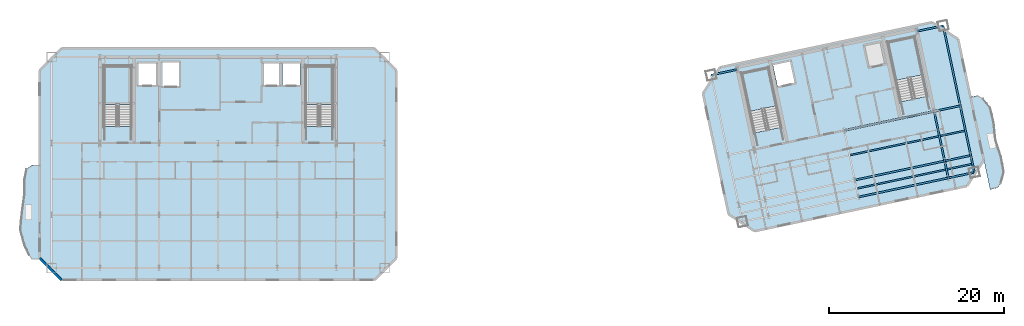
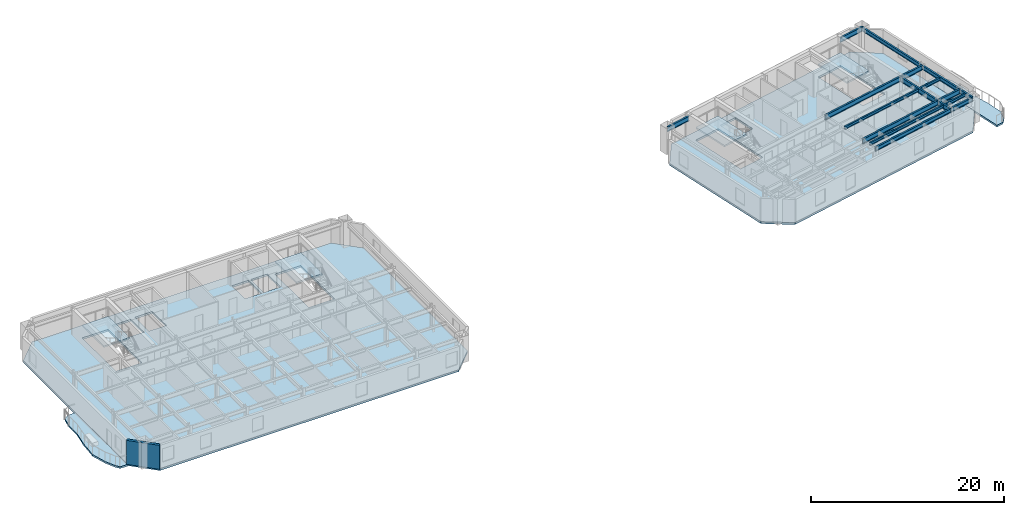
# One storey, part 4 of 14: 17 beams, 8 slabs, 1 wall, 4 elements without a shape of their own.
"""IFC4 building model written with IfcOpenShell, lengths in metres."""

from ifc_helpers import new_model, si_unit, direction, frame, frame_2d, origin, origin_2d, place, context, subcontext, project, spatial, polyline, rectangle, i_section, outline, extrude, material, layer, layer_set, material_profile, profile_set, type_object, element, aggregate, save


model = new_model("IFC4")

# Units and contexts
model_context = context("Model", 3, precision=1e-05, world=origin(), true_north=direction((0.0, 1.0)))
body_context = subcontext(model_context, "Body", "Model", "MODEL_VIEW")
ifc_project = project(units=[si_unit("LENGTHUNIT", "METRE"), si_unit("AREAUNIT", "SQUARE_METRE"), si_unit("VOLUMEUNIT", "CUBIC_METRE"), si_unit("PLANEANGLEUNIT", "RADIAN"), si_unit("MASSUNIT", "GRAM", prefix="KILO")], contexts=[model_context])

# Site, building, storey
site_placement = place(None, origin())
site = spatial("IfcSite", under=ifc_project, at=site_placement, CompositionType="ELEMENT")
building_placement = place(site_placement, origin())
building = spatial("IfcBuilding", under=site, at=building_placement, Name="Haevon Station Towers", CompositionType="ELEMENT")
storey_placement = place(building_placement, frame((0.0, 0.0, 205.5)))
storey = spatial("IfcBuildingStorey", under=building, at=storey_placement, Name="L56", CompositionType="ELEMENT", Elevation=205.5)

# Beams
ifc_material_1 = material(Name="Steel S355", Category="steel")
ifc_material_profile_1 = material_profile(ifc_material_1, i_section(OverallWidth=0.199951171875, OverallDepth=0.60009765625, WebThickness=0.010986328125, FlangeThickness=0.01708984375, at=origin_2d()), Name="H-600x200x11x17")
ifc_profile_set_1 = profile_set([ifc_material_profile_1], Name="Steel S355")
beam_type_1 = type_object("IfcBeamType", Name="BM-G600", PredefinedType="BEAM", material=ifc_profile_set_1)
beam_1_placement = place(storey_placement, frame((110.228759765625, 33.9521484375, 2.75), z_axis=(0.978146794194, 0.207915485254, 0.0), x_axis=(-0.207915485254, 0.978146794194, 0.0)))
element("IfcBeam", 1, at=beam_1_placement, inside=storey, type_object=beam_type_1, Name="BM-T2U-L56-02-03", PredefinedType="BEAM", context=body_context, shape_type="SweptSolid", body=[
    extrude(i_section(OverallWidth=0.199951171875, OverallDepth=0.60009765625, WebThickness=0.010986328125, FlangeThickness=0.01708984375, at=origin_2d()), origin(), (0.0, 0.0, 1.0), 10.5),
])
beam_2_placement = place(storey_placement, frame((120.499267578125, 36.13525390625, 2.75), z_axis=(0.978138503145, 0.207954487003, 0.0), x_axis=(-0.207954487003, 0.978138503145, 0.0)))
element("IfcBeam", 2, at=beam_2_placement, inside=storey, type_object=beam_type_1, Name="BM-T2U-L56-02-04", PredefinedType="BEAM", context=body_context, shape_type="SweptSolid", body=[
    extrude(i_section(OverallWidth=0.199951171875, OverallDepth=0.60009765625, WebThickness=0.010986328125, FlangeThickness=0.01708984375, at=origin_2d()), origin(), (0.0, 0.0, 1.0), 3.050048828125),
])
beam_3_placement = place(storey_placement, frame((109.02294921875, 39.62548828125, 2.75), z_axis=(0.978146794194, 0.207915485254, 0.0), x_axis=(-0.207915485254, 0.978146794194, 0.0)))
element("IfcBeam", 3, at=beam_3_placement, inside=storey, type_object=beam_type_1, Name="BM-T2U-L56-03-03", PredefinedType="BEAM", context=body_context, shape_type="SweptSolid", body=[
    extrude(i_section(OverallWidth=0.199951171875, OverallDepth=0.60009765625, WebThickness=0.010986328125, FlangeThickness=0.01708984375, at=origin_2d()), origin(), (0.0, 0.0, 1.0), 10.5),
])
for number, where, z_axis, x_axis, name in (
    (4, (119.29345703125, 41.80859375, 2.75), (0.978154782045, 0.207877902534, 0.0), (-0.207877902534, 0.978154782045, 0.0), "BM-T2U-L56-03-04"),
    (5, (93.824951171875, 45.953857421875, 2.75), (0.978138503145, 0.207954487003, 0.0), (-0.207954487003, 0.978138503145, 0.0), "BM-T2U-L56-04-01"),
    (6, (117.349365234375, 50.954345703125, 2.75), (0.978154782045, 0.207877902534, 0.0), (-0.207877902534, 0.978154782045, 0.0), "BM-T2U-L56-04-04"),
):
    element("IfcBeam", number, at=place(storey_placement, frame(where, z_axis=z_axis, x_axis=x_axis)), inside=storey, type_object=beam_type_1, Name=name, PredefinedType="BEAM", context=body_context, shape_type="SweptSolid", body=[
        extrude(i_section(OverallWidth=0.199951171875, OverallDepth=0.60009765625, WebThickness=0.010986328125, FlangeThickness=0.01708984375, at=origin_2d()), origin(), (0.0, 0.0, 1.0), 3.050048828125),
    ])
beam_4_placement = place(storey_placement, frame((120.910888671875, 34.198486328125, 2.75), z_axis=(-0.207886774674, 0.978152896492, 0.0), x_axis=(-0.978152896492, -0.207886774674, 0.0)))
element("IfcBeam", 7, at=beam_4_placement, inside=storey, type_object=beam_type_1, Name="BM-T2V-L56-04-01", PredefinedType="BEAM", context=body_context, shape_type="SweptSolid", body=[
    extrude(i_section(OverallWidth=0.199951171875, OverallDepth=0.60009765625, WebThickness=0.010986328125, FlangeThickness=0.01708984375, at=origin_2d()), origin(), (0.0, 0.0, 1.0), 1.97998046875),
])
beam_5_placement = place(storey_placement, frame((120.499267578125, 36.13525390625, 2.75), z_axis=(-0.207896009217, 0.97815093383, 0.0), x_axis=(-0.97815093383, -0.207896009217, 0.0)))
element("IfcBeam", 8, at=beam_5_placement, inside=storey, type_object=beam_type_1, Name="BM-T2V-L56-04-02", PredefinedType="BEAM", context=body_context, shape_type="SweptSolid", body=[
    extrude(i_section(OverallWidth=0.199951171875, OverallDepth=0.60009765625, WebThickness=0.010986328125, FlangeThickness=0.01708984375, at=origin_2d()), origin(), (0.0, 0.0, 1.0), 5.800048828125),
])
ifc_material_profile_2 = material_profile(ifc_material_1, i_section(OverallWidth=0.175048828125, OverallDepth=0.35009765625, WebThickness=0.007080078125, FlangeThickness=0.010986328125, at=origin_2d()), Name="H-350x175x7x11")
ifc_profile_set_2 = profile_set([ifc_material_profile_2], Name="Steel S355")
beam_type_2 = type_object("IfcBeamType", Name="BM-J350", PredefinedType="JOIST", material=ifc_profile_set_2)
beam_6_placement = place(storey_placement, frame((110.542236328125, 33.0068359375, 2.875), z_axis=(0.978150339653, 0.207898804801, 0.0), x_axis=(-0.207898804801, 0.978150339653, 0.0)))
element("IfcBeam", 9, at=beam_6_placement, inside=storey, type_object=beam_type_2, Name="BM-T2J-L56-01-03", PredefinedType="JOIST", context=body_context, shape_type="SweptSolid", body=[
    extrude(i_section(OverallWidth=0.175048828125, OverallDepth=0.35009765625, WebThickness=0.007080078125, FlangeThickness=0.010986328125, at=origin_2d()), origin(), (0.0, 0.0, 1.0), 10.280029296875),
])
beam_7_placement = place(storey_placement, frame((120.812744140625, 35.189697265625, 2.875), z_axis=(0.9781470094, 0.207914472804, 0.0), x_axis=(-0.207914472804, 0.9781470094, 0.0)))
element("IfcBeam", 10, at=beam_7_placement, inside=storey, type_object=beam_type_2, Name="BM-T2J-L56-01-04", PredefinedType="JOIST", context=body_context, shape_type="SweptSolid", body=[
    extrude(i_section(OverallWidth=0.175048828125, OverallDepth=0.35009765625, WebThickness=0.007080078125, FlangeThickness=0.010986328125, at=origin_2d()), origin(), (0.0, 0.0, 1.0), 2.829833984375),
])
beam_8_placement = place(storey_placement, frame((109.7333984375, 36.811767578125, 2.875), z_axis=(0.978150339653, 0.207898804801, 0.0), x_axis=(-0.207898804801, 0.978150339653, 0.0)))
element("IfcBeam", 11, at=beam_8_placement, inside=storey, type_object=beam_type_2, Name="BM-T2J-L56-02-03", PredefinedType="JOIST", context=body_context, shape_type="SweptSolid", body=[
    extrude(i_section(OverallWidth=0.175048828125, OverallDepth=0.35009765625, WebThickness=0.007080078125, FlangeThickness=0.010986328125, at=origin_2d()), origin(), (0.0, 0.0, 1.0), 10.280029296875),
])
beam_9_placement = place(storey_placement, frame((120.00390625, 38.994873046875, 2.875), z_axis=(0.978150738312, 0.207896929124, 0.0), x_axis=(-0.207896929124, 0.978150738312, 0.0)))
element("IfcBeam", 12, at=beam_9_placement, inside=storey, type_object=beam_type_2, Name="BM-T2J-L56-02-04", PredefinedType="JOIST", context=body_context, shape_type="SweptSolid", body=[
    extrude(i_section(OverallWidth=0.175048828125, OverallDepth=0.35009765625, WebThickness=0.007080078125, FlangeThickness=0.010986328125, at=origin_2d()), origin(), (0.0, 0.0, 1.0), 2.830078125),
])
ifc_material_profile_3 = material_profile(ifc_material_1, i_section(OverallWidth=0.199951171875, OverallDepth=0.5, WebThickness=0.010009765625, FlangeThickness=0.01611328125, at=origin_2d()), Name="H-500x200x10x16")
ifc_profile_set_3 = profile_set([ifc_material_profile_3], Name="Steel S355")
beam_type_3 = type_object("IfcBeamType", Name="BM-SP500", PredefinedType="SPANDREL", material=ifc_profile_set_3)
beam_10_placement = place(storey_placement, frame((110.640380859375, 32.015380859375, 2.800048828125), z_axis=(0.978146794194, 0.207915485254, 0.0), x_axis=(-0.207915485254, 0.978146794194, 0.0)))
element("IfcBeam", 13, at=beam_10_placement, inside=storey, type_object=beam_type_3, Name="BM-T2U-L56-01-03", PredefinedType="SPANDREL", context=body_context, shape_type="SweptSolid", body=[
    extrude(i_section(OverallWidth=0.199951171875, OverallDepth=0.5, WebThickness=0.010009765625, FlangeThickness=0.01611328125, at=origin_2d()), origin(), (0.0, 0.0, 1.0), 10.5),
])
beam_11_placement = place(storey_placement, frame((120.910888671875, 34.198486328125, 2.800048828125), z_axis=(0.978138503145, 0.207954487003, 0.0), x_axis=(-0.207954487003, 0.978138503145, 0.0)))
element("IfcBeam", 14, at=beam_11_placement, inside=storey, type_object=beam_type_3, Name="BM-T2U-L56-01-04", PredefinedType="SPANDREL", context=body_context, shape_type="SweptSolid", body=[
    extrude(i_section(OverallWidth=0.199951171875, OverallDepth=0.5, WebThickness=0.010009765625, FlangeThickness=0.01611328125, at=origin_2d()), origin(), (0.0, 0.0, 1.0), 3.050048828125),
])
beam_12_placement = place(storey_placement, frame((123.894287109375, 34.832763671875, 2.800048828125), z_axis=(-0.207886774674, 0.978152896492, 0.0), x_axis=(-0.978152896492, -0.207886774674, 0.0)))
element("IfcBeam", 15, at=beam_12_placement, inside=storey, type_object=beam_type_3, Name="BM-T2V-L56-05-01", PredefinedType="SPANDREL", context=body_context, shape_type="SweptSolid", body=[
    extrude(i_section(OverallWidth=0.199951171875, OverallDepth=0.5, WebThickness=0.010009765625, FlangeThickness=0.01611328125, at=origin_2d()), origin(), (0.0, 0.0, 1.0), 1.97998046875),
])
beam_13_placement = place(storey_placement, frame((123.482666015625, 36.76953125, 2.800048828125), z_axis=(-0.207904569273, 0.978149114438, 0.0), x_axis=(-0.978149114438, -0.207904569273, 0.0)))
element("IfcBeam", 16, at=beam_13_placement, inside=storey, type_object=beam_type_3, Name="BM-T2V-L56-05-02", PredefinedType="SPANDREL", context=body_context, shape_type="SweptSolid", body=[
    extrude(i_section(OverallWidth=0.199951171875, OverallDepth=0.5, WebThickness=0.010009765625, FlangeThickness=0.01611328125, at=origin_2d()), origin(), (0.0, 0.0, 1.0), 5.7998046875),
])
beam_14_placement = place(storey_placement, frame((122.27685546875, 42.442626953125, 2.800048828125), z_axis=(-0.207922149488, 0.978145377616, 0.0), x_axis=(-0.978145377616, -0.207922149488, 0.0)))
element("IfcBeam", 17, at=beam_14_placement, inside=storey, type_object=beam_type_3, Name="BM-T2V-L56-05-03", PredefinedType="SPANDREL", context=body_context, shape_type="SweptSolid", body=[
    extrude(i_section(OverallWidth=0.199951171875, OverallDepth=0.5, WebThickness=0.010009765625, FlangeThickness=0.01611328125, at=origin_2d()), origin(), (0.0, 0.0, 1.0), 9.35009765625),
])

# Slabs
ifc_material_2 = material(Name="Concrete C40/50", Category="concrete")
ifc_layer_1 = layer(ifc_material_2, 0.219970703125)
ifc_layer_set_1 = layer_set([ifc_layer_1], Name="Concrete C40/50")
slab_type_1 = type_object("IfcSlabType", Name="SL-BALC220", PredefinedType="FLOOR", material=ifc_layer_set_1)
slab_1_placement = place(storey_placement, frame((0.0, 0.0, -0.219970703125)))
element("IfcSlab", 18, at=slab_1_placement, inside=storey, type_object=slab_type_1, Name="Tower 1 L56 West SCALLOPED BALCONY", PredefinedType="FLOOR", context=body_context, shape_type="SweptSolid", body=[
    extrude(outline(polyline([(17.1201171875, 35.675048828125), (16.238037109375, 35.675048828125), (15.60888671875, 35.263916015625), (15.376708984375, 34.09326171875), (15.355224609375, 32.341552734375), (15.02001953125, 30.27490234375), (14.8701171875, 28.20849609375), (15.376708984375, 26.45654296875), (15.934814453125, 25.2861328125), (16.238037109375, 24.875), (17.1201171875, 24.875), (17.1201171875, 35.675048828125)])), origin(), (0.0, 0.0, 1.0), 0.219970703125),
])
slab_2_placement = place(storey_placement, frame((0.0, 0.0, -0.219970703125)))
element("IfcSlab", 19, at=slab_2_placement, inside=storey, type_object=slab_type_1, Name="Tower 2 L56 East SCALLOPED BALCONY", PredefinedType="FLOOR", context=body_context, shape_type="SweptSolid", body=[
    extrude(outline(polyline([(125.69482421875, 32.87939453125), (126.5263671875, 33.05615234375), (126.927978515625, 33.561767578125), (127.277099609375, 34.832763671875), (126.965087890625, 36.557373046875), (126.3779296875, 38.545166015625), (126.10595703125, 40.60009765625), (125.689453125, 42.302490234375), (124.853515625, 43.321533203125), (124.28076171875, 43.6201171875), (123.449462890625, 43.443359375), (125.69482421875, 32.87939453125)])), origin(), (0.0, 0.0, 1.0), 0.219970703125),
])

# Stair, slab
stair_type = type_object("IfcStairType", Name="STR-DL1450", PredefinedType="USERDEFINED", material=ifc_material_2)
stair_1_placement = place(storey_placement, origin())
stair_1 = element("IfcStair", 20, at=stair_1_placement, inside=storey, type_object=stair_type, Name="L56 Escape Stair ST1", ObjectType="TWO_RETURN_STAIR", PredefinedType="USERDEFINED")
ifc_layer_2 = layer(ifc_material_2, 0.199951171875)
ifc_layer_set_2 = layer_set([ifc_layer_2], Name="Concrete C40/50")
slab_type_2 = type_object("IfcSlabType", Name="SL-LND200", PredefinedType="LANDING", material=ifc_layer_set_2)
slab_3_placement = place(storey_placement, frame((0.0, 0.0, 1.449951171875)))
slab_3 = element("IfcSlab", 21, at=slab_3_placement, type_object=slab_type_2, Name="L56 ST1 Half Landing 1", PredefinedType="LANDING", context=body_context, shape_type="SweptSolid", body=[
    extrude(outline(polyline([(27.580078125, 42.56396484375), (27.580078125, 47.0), (24.47998046875, 47.0), (24.47998046875, 42.56396484375), (27.580078125, 42.56396484375)])), origin(), (0.0, 0.0, 1.0), 0.199951171875),
])
aggregate(stair_1, [slab_3])

stair_2_placement = place(storey_placement, origin())
stair_2 = element("IfcStair", 22, at=stair_2_placement, inside=storey, type_object=stair_type, Name="L56 Escape Stair ST2", ObjectType="TWO_RETURN_STAIR", PredefinedType="USERDEFINED")
slab_4_placement = place(storey_placement, frame((0.0, 0.0, 1.449951171875)))
slab_4 = element("IfcSlab", 23, at=slab_4_placement, type_object=slab_type_2, Name="L56 ST2 Half Landing 1", PredefinedType="LANDING", context=body_context, shape_type="SweptSolid", body=[
    extrude(outline(polyline([(50.6201171875, 42.56396484375), (50.6201171875, 47.0), (47.52001953125, 47.0), (47.52001953125, 42.56396484375), (50.6201171875, 42.56396484375)])), origin(), (0.0, 0.0, 1.0), 0.199951171875),
])
aggregate(stair_2, [slab_4])

stair_3_placement = place(storey_placement, origin())
stair_3 = element("IfcStair", 24, at=stair_3_placement, inside=storey, type_object=stair_type, Name="L56 Escape Stair ST3", ObjectType="TWO_RETURN_STAIR", PredefinedType="USERDEFINED")
slab_5_placement = place(storey_placement, frame((0.0, 0.0, 1.449951171875)))
slab_5 = element("IfcSlab", 25, at=slab_5_placement, type_object=slab_type_2, Name="L56 ST3 Half Landing 1", PredefinedType="LANDING", context=body_context, shape_type="SweptSolid", body=[
    extrude(outline(polyline([(101.2880859375, 42.44287109375), (100.36572265625, 46.781982421875), (97.33349609375, 46.137451171875), (98.255859375, 41.79833984375), (101.2880859375, 42.44287109375)])), origin(), (0.0, 0.0, 1.0), 0.199951171875),
])
aggregate(stair_3, [slab_5])

stair_4_placement = place(storey_placement, origin())
stair_4 = element("IfcStair", 26, at=stair_4_placement, inside=storey, type_object=stair_type, Name="L56 Escape Stair ST4", ObjectType="TWO_RETURN_STAIR", PredefinedType="USERDEFINED")
slab_6_placement = place(storey_placement, frame((0.0, 0.0, 1.449951171875)))
slab_6 = element("IfcSlab", 27, at=slab_6_placement, type_object=slab_type_2, Name="L56 ST4 Half Landing 1", PredefinedType="LANDING", context=body_context, shape_type="SweptSolid", body=[
    extrude(outline(polyline([(117.975341796875, 45.989990234375), (117.052978515625, 50.328857421875), (114.020751953125, 49.684326171875), (114.943115234375, 45.345458984375), (117.975341796875, 45.989990234375)])), origin(), (0.0, 0.0, 1.0), 0.199951171875),
])
aggregate(stair_4, [slab_6])

# Slabs
ifc_layer_3 = layer(ifc_material_2, 0.25)
ifc_layer_set_3 = layer_set([ifc_layer_3], Name="Concrete C40/50")
slab_type_3 = type_object("IfcSlabType", Name="SL-TW250", PredefinedType="FLOOR", material=ifc_layer_set_3)
slab_7_placement = place(storey_placement, frame((0.0, 0.0, -0.25)))
element("IfcSlab", 28, at=slab_7_placement, inside=storey, type_object=slab_type_3, Name="SL-T1-L56", PredefinedType="FLOOR", context=body_context, shape_type="SweptSolid", body=[
    extrude(outline(polyline([(19.625, 22.550048828125), (55.375, 22.550048828125), (57.875, 25.050048828125), (57.875, 46.5), (55.375, 49.0), (19.625, 49.0), (17.125, 46.5), (17.125, 25.050048828125), (19.625, 22.550048828125)]), holes=[polyline([(27.580078125, 40.055908203125), (27.580078125, 47.0), (24.47998046875, 47.0), (24.47998046875, 40.055908203125), (27.580078125, 40.055908203125)]), polyline([(50.6201171875, 40.055908203125), (50.6201171875, 47.0), (47.52001953125, 47.0), (47.52001953125, 40.055908203125), (50.6201171875, 40.055908203125)]), polyline([(28.300048828125, 44.699951171875), (30.5, 44.699951171875), (30.5, 47.39990234375), (28.300048828125, 47.39990234375), (28.300048828125, 44.699951171875)]), polyline([(31.050048828125, 44.60009765625), (33.14990234375, 44.60009765625), (33.14990234375, 47.5), (31.050048828125, 47.5), (31.050048828125, 44.60009765625)]), polyline([(42.60009765625, 44.699951171875), (44.60009765625, 44.699951171875), (44.60009765625, 47.39990234375), (42.60009765625, 47.39990234375), (42.60009765625, 44.699951171875)]), polyline([(44.85009765625, 44.699951171875), (46.85009765625, 44.699951171875), (46.85009765625, 47.39990234375), (44.85009765625, 47.39990234375), (44.85009765625, 44.699951171875)])]), origin(), (0.0, 0.0, 1.0), 0.25),
])
slab_8_placement = place(storey_placement, frame((0.0, 0.0, -0.25)))
element("IfcSlab", 29, at=slab_8_placement, inside=storey, type_object=slab_type_3, Name="SL-T2-L56", PredefinedType="FLOOR", context=body_context, shape_type="SweptSolid", body=[
    extrude(outline(polyline([(98.7919921875, 28.116943359375), (123.050048828125, 33.273193359375), (124.975830078125, 36.23828125), (122.037841796875, 50.0595703125), (119.07275390625, 51.985107421875), (94.814697265625, 46.828857421875), (92.88916015625, 43.86376953125), (95.826904296875, 30.04248046875), (98.7919921875, 28.116943359375)]), holes=[polyline([(101.8095703125, 39.98974609375), (100.36572265625, 46.781982421875), (97.33349609375, 46.137451171875), (98.77734375, 39.34521484375), (101.8095703125, 39.98974609375)]), polyline([(118.496826171875, 43.53662109375), (117.052978515625, 50.328857421875), (114.020751953125, 49.684326171875), (115.464599609375, 42.89208984375), (118.496826171875, 43.53662109375)]), polyline([(101.43212890625, 44.554931640625), (103.486328125, 44.99169921875), (102.9248046875, 47.632568359375), (100.870849609375, 47.196044921875), (101.43212890625, 44.554931640625)])]), origin(), (0.0, 0.0, 1.0), 0.25),
])

# Wall
ifc_material_3 = material(Name="Precast concrete C45/55", Category="concrete")
ifc_layer_4 = layer(ifc_material_3, 0.280029296875)
ifc_layer_set_4 = layer_set([ifc_layer_4], Name="Precast concrete C45/55")
wall_type = type_object("IfcWallType", Name="WL-EXT-PIER280", PredefinedType="SOLIDWALL", material=ifc_layer_set_4)
wall_placement = place(storey_placement, frame((19.625, 22.550048828125, 0.0), z_axis=(0.0, 0.0, 1.0), x_axis=(-0.707106781187, 0.707106781187, 0.0)))
element("IfcWall", 30, at=wall_placement, inside=storey, type_object=wall_type, Name="WL-T1-L56-SWC", PredefinedType="SOLIDWALL", context=body_context, shape_type="SweptSolid", body=[
    extrude(rectangle(XDim=3.53564453125, YDim=0.280029296875, at=frame_2d((1.767822265625, 0.0))), origin(), (0.0, 0.0, 1.0), 3.030029296875),
])

save(model, "model.ifc")
